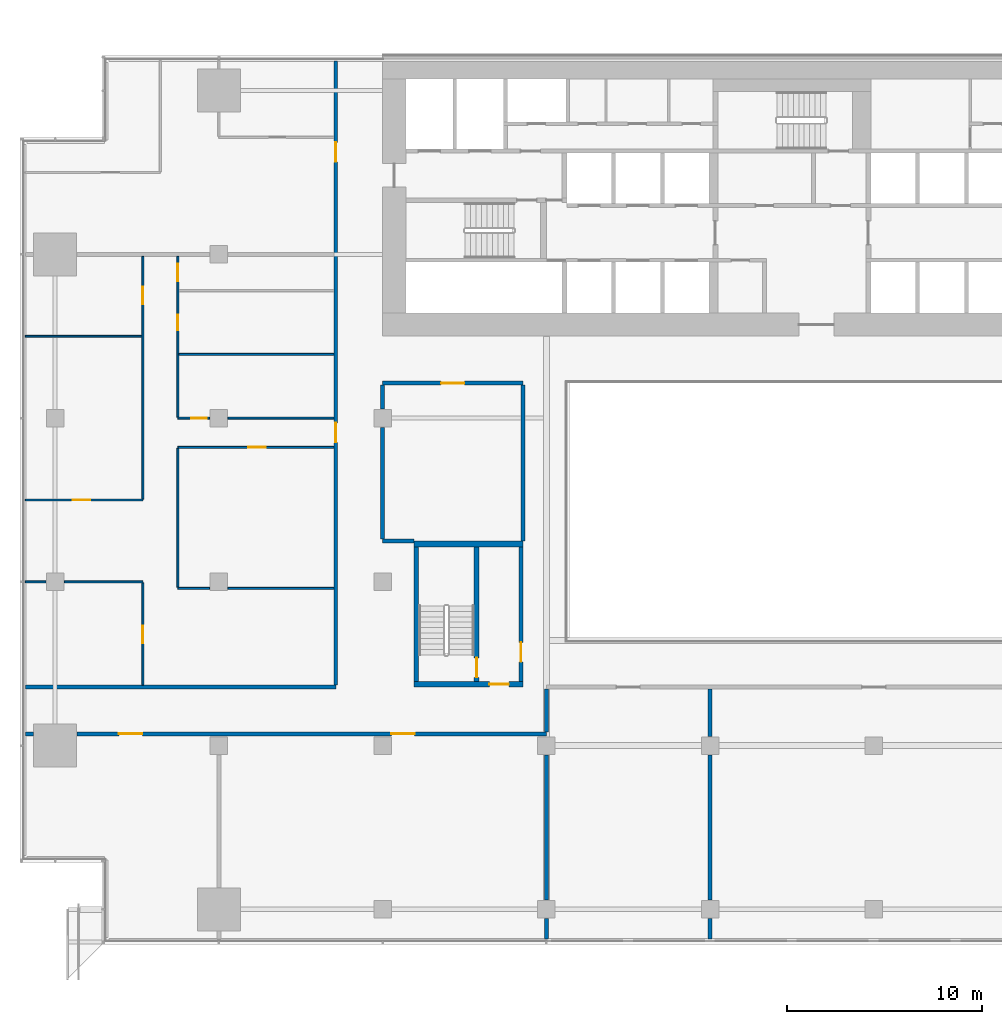
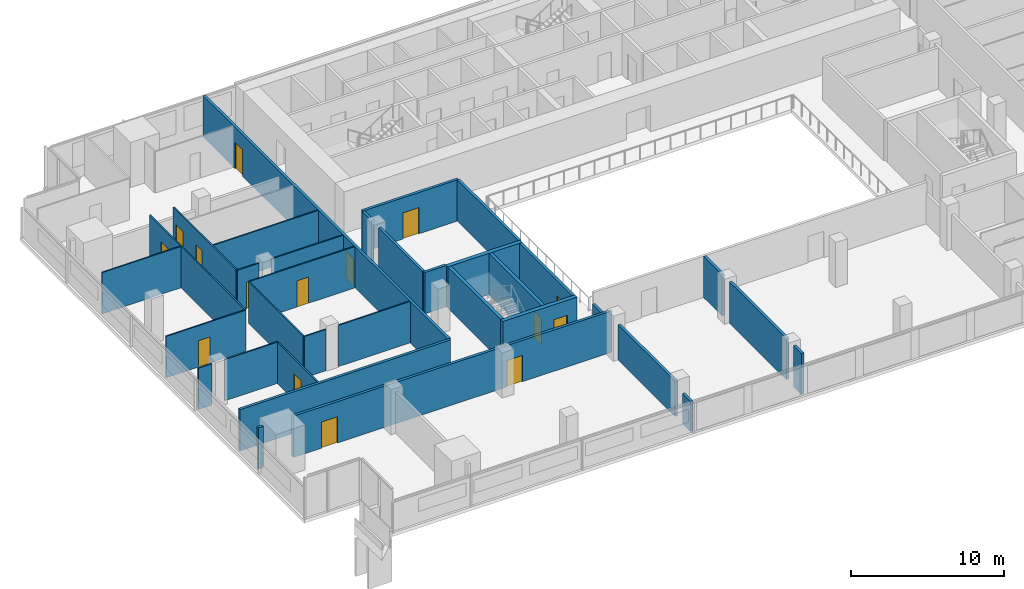
# One storey, part 17 of 25: 34 walls, 15 doors, 15 openings.
"""IFC4 building model written with IfcOpenShell, lengths in metres."""

from ifc_helpers import new_model, si_unit, direction, frame, frame_2d, origin, place, context, subcontext, project, spatial, rectangle, extrude, material, layer, layer_set, type_object, element, fill, save


model = new_model("IFC4")

# Units and contexts
model_context = context("Model", 3, precision=1e-05, world=origin(), true_north=direction((0.0, 1.0)))
body_context = subcontext(model_context, "Body", "Model", "MODEL_VIEW")
ifc_project = project(units=[si_unit("LENGTHUNIT", "METRE"), si_unit("AREAUNIT", "SQUARE_METRE"), si_unit("VOLUMEUNIT", "CUBIC_METRE"), si_unit("PLANEANGLEUNIT", "RADIAN"), si_unit("MASSUNIT", "GRAM", prefix="KILO")], contexts=[model_context])

# Site, building, storey
site_placement = place(None, origin())
site = spatial("IfcSite", under=ifc_project, at=site_placement, CompositionType="ELEMENT")
building_placement = place(site_placement, origin())
building = spatial("IfcBuilding", under=site, at=building_placement, Name="Saffron Gate Tower", CompositionType="ELEMENT")
storey_placement = place(building_placement, frame((0.0, 0.0, 80.39990234375)))
storey = spatial("IfcBuildingStorey", under=building, at=storey_placement, Name="L19", CompositionType="ELEMENT", Elevation=80.39990234375)

# Wall, opening, door
ifc_material_1 = material(Name="Gypsum board partition on steel studs", Category="steel")
ifc_layer_1 = layer(ifc_material_1, 0.199951171875)
ifc_layer_set_1 = layer_set([ifc_layer_1], Name="CW10 Core partition 200")
wall_type_1 = type_object("IfcWallType", Name="CW10 Core partition 200", PredefinedType="PARTITIONING", material=ifc_layer_set_1)
wall_1_placement = place(storey_placement, frame((73.699951171875, 43.5, 0.0), z_axis=(0.0, 0.0, 1.0), x_axis=(0.0, 1.0, 0.0)))
wall_1 = element("IfcWall", 1, at=wall_1_placement, inside=storey, type_object=wall_type_1, Name="Wall CW10-L19-D-4", PredefinedType="PARTITIONING", context=body_context, shape_type="SweptSolid", body=[
    extrude(rectangle(XDim=6.89990234375, YDim=0.199951171875, at=frame_2d((3.449951171875, 0.0))), origin(), (0.0, 0.0, 1.0), 3.300048828125),
])
opening_1_placement = place(wall_1_placement, frame((1.0, 0.0, 0.0)))
opening_1 = element("IfcOpeningElement", 2, at=opening_1_placement, cuts=wall_1, Name="Opening CR-19", PredefinedType="OPENING", context=body_context, shape_type="SweptSolid", body=[
    extrude(rectangle(XDim=1.0, YDim=2.10009765625, at=frame_2d((0.5, 1.050048828125))), frame((0.0, 0.10986328125, 0.0), z_axis=(0.0, -1.0, 0.0), x_axis=(1.0, 0.0, 0.0)), (0.0, 0.0, 1.0), 0.219970703125),
])
ifc_material_2 = material(Name="Steel fire door set", Category="steel")
door_type_1 = type_object("IfcDoorType", Name="CD4 Lobby door 1000x2100 EI 120", OperationType="NOTDEFINED", PredefinedType="DOOR", material=ifc_material_2)
door_1_placement = place(opening_1_placement, origin())
door_1 = element("IfcDoor", 3, at=door_1_placement, inside=storey, type_object=door_type_1, Name="DOOR CR-19", OperationType="SINGLE_SWING_RIGHT", OverallHeight=2.10009765625, OverallWidth=1.0, PredefinedType="DOOR", context=body_context, shape_type="SweptSolid", body=[
    extrude(rectangle(XDim=1.0, YDim=2.10009765625, at=frame_2d((0.5, 1.050048828125))), frame((0.0, 0.02490234375, 0.0), z_axis=(0.0, -1.0, 0.0), x_axis=(1.0, 0.0, 0.0)), (0.0, 0.0, 1.0), 0.050048828125),
])
fill(opening_1, door_1)

# Wall
ifc_material_3 = material(Name="Concrete C70", Category="concrete")
ifc_layer_2 = layer(ifc_material_3, 0.25)
ifc_layer_set_2 = layer_set([ifc_layer_2], Name="CW2 RC core wall 250 C70")
wall_type_2 = type_object("IfcWallType", Name="CW2 RC core wall 250 C70", PredefinedType="SOLIDWALL", material=ifc_layer_set_2)
wall_2_placement = place(storey_placement, frame((68.324951171875, 43.5, 0.0), z_axis=(0.0, 0.0, 1.0), x_axis=(0.0, 1.0, 0.0)))
element("IfcWall", 4, at=wall_2_placement, inside=storey, type_object=wall_type_2, Name="Wall CW2-L19-D-2", PredefinedType="SOLIDWALL", context=body_context, shape_type="SweptSolid", body=[
    extrude(rectangle(XDim=6.89990234375, YDim=0.25, at=frame_2d((3.449951171875, 0.0))), origin(), (0.0, 0.0, 1.0), 3.300048828125),
])

# Wall, opening, door
wall_3_placement = place(storey_placement, frame((71.425048828125, 43.5, 0.0), z_axis=(0.0, 0.0, 1.0), x_axis=(0.0, 1.0, 0.0)))
wall_3 = element("IfcWall", 5, at=wall_3_placement, inside=storey, type_object=wall_type_2, Name="Wall CW2-L19-D-3", PredefinedType="SOLIDWALL", context=body_context, shape_type="SweptSolid", body=[
    extrude(rectangle(XDim=6.89990234375, YDim=0.25, at=frame_2d((3.449951171875, 0.0))), origin(), (0.0, 0.0, 1.0), 3.300048828125),
])
opening_2_placement = place(wall_3_placement, frame((0.199951171875, 0.0, 0.0)))
opening_2 = element("IfcOpeningElement", 6, at=opening_2_placement, cuts=wall_3, Name="Opening CR-20", PredefinedType="OPENING", context=body_context, shape_type="SweptSolid", body=[
    extrude(rectangle(XDim=1.0, YDim=2.10009765625, at=frame_2d((0.5, 1.050048828125))), frame((0.0, 0.135009765625, 0.0), z_axis=(0.0, -1.0, 0.0), x_axis=(1.0, 0.0, 0.0)), (0.0, 0.0, 1.0), 0.27001953125),
])
door_type_2 = type_object("IfcDoorType", Name="CD5 Stair door 1000x2100 EI 120", OperationType="NOTDEFINED", PredefinedType="DOOR", material=ifc_material_2)
door_2_placement = place(opening_2_placement, origin())
door_2 = element("IfcDoor", 7, at=door_2_placement, inside=storey, type_object=door_type_2, Name="DOOR CR-20", OperationType="SINGLE_SWING_LEFT", OverallHeight=2.10009765625, OverallWidth=1.0, PredefinedType="DOOR", context=body_context, shape_type="SweptSolid", body=[
    extrude(rectangle(XDim=1.0, YDim=2.10009765625, at=frame_2d((0.5, 1.050048828125))), frame((0.0, 0.02490234375, 0.0), z_axis=(0.0, -1.0, 0.0), x_axis=(1.0, 0.0, 0.0)), (0.0, 0.0, 1.0), 0.050048828125),
])
fill(opening_2, door_2)

ifc_layer_3 = layer(ifc_material_3, 0.300048828125)
ifc_layer_set_3 = layer_set([ifc_layer_3], Name="CW5 RC core wall 300 C70")
wall_type_3 = type_object("IfcWallType", Name="CW5 RC core wall 300 C70", PredefinedType="SOLIDWALL", material=ifc_layer_set_3)
wall_4_placement = place(storey_placement, frame((68.199951171875, 43.35009765625, 0.0), z_axis=(0.0, 0.0, 1.0), x_axis=(1.0, 0.0, 0.0)))
wall_4 = element("IfcWall", 8, at=wall_4_placement, inside=storey, type_object=wall_type_3, Name="Wall CW5-L19-D-1", PredefinedType="SOLIDWALL", context=body_context, shape_type="SweptSolid", body=[
    extrude(rectangle(XDim=5.60009765625, YDim=0.300048828125, at=frame_2d((2.800048828125, 0.0))), origin(), (0.0, 0.0, 1.0), 3.300048828125),
])
opening_3_placement = place(wall_4_placement, frame((3.875, 0.0, 0.0)))
opening_3 = element("IfcOpeningElement", 9, at=opening_3_placement, cuts=wall_4, Name="Opening CR-18", PredefinedType="OPENING", context=body_context, shape_type="SweptSolid", body=[
    extrude(rectangle(XDim=1.0, YDim=2.10009765625, at=frame_2d((0.5, 1.050048828125))), frame((0.0, 0.16015625, 0.0), z_axis=(0.0, -1.0, 0.0), x_axis=(1.0, 0.0, 0.0)), (0.0, 0.0, 1.0), 0.320068359375),
])
door_3_placement = place(opening_3_placement, origin())
door_3 = element("IfcDoor", 10, at=door_3_placement, inside=storey, type_object=door_type_1, Name="DOOR CR-18", OperationType="SINGLE_SWING_RIGHT", OverallHeight=2.10009765625, OverallWidth=1.0, PredefinedType="DOOR", context=body_context, shape_type="SweptSolid", body=[
    extrude(rectangle(XDim=1.0, YDim=2.10009765625, at=frame_2d((0.5, 1.050048828125))), frame((0.0, 0.02490234375, 0.0), z_axis=(0.0, -1.0, 0.0), x_axis=(1.0, 0.0, 0.0)), (0.0, 0.0, 1.0), 0.050048828125),
])
fill(opening_3, door_3)

# Walls
wall_5_placement = place(storey_placement, frame((68.199951171875, 50.550048828125, 0.0), z_axis=(0.0, 0.0, 1.0), x_axis=(1.0, 0.0, 0.0)))
element("IfcWall", 11, at=wall_5_placement, inside=storey, type_object=wall_type_3, Name="Wall CW5-L19-D-5", PredefinedType="SOLIDWALL", context=body_context, shape_type="SweptSolid", body=[
    extrude(rectangle(XDim=5.60009765625, YDim=0.300048828125, at=frame_2d((2.800048828125, 0.0))), origin(), (0.0, 0.0, 1.0), 3.300048828125),
])
ifc_material_4 = material(Name="Plasterboard on steel studs", Category="steel")
ifc_layer_4 = layer(ifc_material_4, 0.10009765625)
ifc_layer_set_4 = layer_set([ifc_layer_4], Name="PW1 Partition 100")
wall_type_4 = type_object("IfcWallType", Name="PW1 Partition 100", PredefinedType="PARTITIONING", material=ifc_layer_set_4)
wall_6_placement = place(storey_placement, frame((56.10009765625, 48.26171875, 0.0), z_axis=(0.0, 0.0, 1.0), x_axis=(1.0, 0.0, 0.0)))
element("IfcWall", 12, at=wall_6_placement, inside=storey, type_object=wall_type_4, Name="Partition A5-13", PredefinedType="PARTITIONING", context=body_context, shape_type="SweptSolid", body=[
    extrude(rectangle(XDim=1.6298828125, YDim=0.10009765625, at=frame_2d((0.81494140625, 0.0))), origin(), (0.0, 0.0, 1.0), 3.300048828125),
])
wall_7_placement = place(storey_placement, frame((58.669921875, 48.26171875, 0.0), z_axis=(0.0, 0.0, 1.0), x_axis=(1.0, 0.0, 0.0)))
element("IfcWall", 13, at=wall_7_placement, inside=storey, type_object=wall_type_4, Name="Partition A5-14", PredefinedType="PARTITIONING", context=body_context, shape_type="SweptSolid", body=[
    extrude(rectangle(XDim=5.43017578125, YDim=0.10009765625, at=frame_2d((2.715087890625, 0.0))), origin(), (0.0, 0.0, 1.0), 3.300048828125),
])
wall_8_placement = place(storey_placement, frame((48.280029296875, 48.60009765625, 0.0), z_axis=(0.0, 0.0, 1.0), x_axis=(1.0, 0.0, 0.0)))
element("IfcWall", 14, at=wall_8_placement, inside=storey, type_object=wall_type_4, Name="Partition A5-15", PredefinedType="PARTITIONING", context=body_context, shape_type="SweptSolid", body=[
    extrude(rectangle(XDim=1.050048828125, YDim=0.10009765625, at=frame_2d((0.52490234375, 0.0))), origin(), (0.0, 0.0, 1.0), 3.300048828125),
])
wall_9_placement = place(storey_placement, frame((50.27001953125, 48.60009765625, 0.0), z_axis=(0.0, 0.0, 1.0), x_axis=(1.0, 0.0, 0.0)))
element("IfcWall", 15, at=wall_9_placement, inside=storey, type_object=wall_type_4, Name="Partition A5-16", PredefinedType="PARTITIONING", context=body_context, shape_type="SweptSolid", body=[
    extrude(rectangle(XDim=4.030029296875, YDim=0.10009765625, at=frame_2d((2.01513671875, 0.0))), origin(), (0.0, 0.0, 1.0), 3.300048828125),
])

# Wall, opening, door
wall_10_placement = place(storey_placement, frame((48.280029296875, 52.800048828125, 0.0), z_axis=(0.0, 0.0, 1.0), x_axis=(1.0, 0.0, 0.0)))
wall_10 = element("IfcWall", 16, at=wall_10_placement, inside=storey, type_object=wall_type_4, Name="Partition A5-23", PredefinedType="PARTITIONING", context=body_context, shape_type="SweptSolid", body=[
    extrude(rectangle(XDim=6.02001953125, YDim=0.10009765625, at=frame_2d((3.010009765625, 0.0))), origin(), (0.0, 0.0, 1.0), 3.300048828125),
])
opening_4_placement = place(wall_10_placement, frame((2.419921875, 0.0, 0.0)))
opening_4 = element("IfcOpeningElement", 17, at=opening_4_placement, cuts=wall_10, Name="Opening A5-13", PredefinedType="OPENING", context=body_context, shape_type="SweptSolid", body=[
    extrude(rectangle(XDim=0.89990234375, YDim=2.10009765625, at=frame_2d((0.449951171875, 1.050048828125))), frame((0.0, 0.06005859375, 0.0), z_axis=(0.0, -1.0, 0.0), x_axis=(1.0, 0.0, 0.0)), (0.0, 0.0, 1.0), 0.1201171875),
])
ifc_material_5 = material(Name="Timber door set", Category="wood")
door_type_3 = type_object("IfcDoorType", Name="RD1 Room door 900x2100", OperationType="NOTDEFINED", PredefinedType="DOOR", material=ifc_material_5)
door_4_placement = place(opening_4_placement, origin())
door_4 = element("IfcDoor", 18, at=door_4_placement, inside=storey, type_object=door_type_3, Name="Door A5-13", OperationType="SINGLE_SWING_LEFT", OverallHeight=2.10009765625, OverallWidth=0.89990234375, PredefinedType="DOOR", context=body_context, shape_type="SweptSolid", body=[
    extrude(rectangle(XDim=0.89990234375, YDim=2.10009765625, at=frame_2d((0.449951171875, 1.050048828125))), frame((0.0, 0.02490234375, 0.0), z_axis=(0.0, -1.0, 0.0), x_axis=(1.0, 0.0, 0.0)), (0.0, 0.0, 1.0), 0.050048828125),
])
fill(opening_4, door_4)

wall_11_placement = place(storey_placement, frame((64.10009765625, 55.5, 0.0), z_axis=(0.0, 0.0, 1.0), x_axis=(-1.0, 0.0, 0.0)))
wall_11 = element("IfcWall", 19, at=wall_11_placement, inside=storey, type_object=wall_type_4, Name="Partition A5-25", PredefinedType="PARTITIONING", context=body_context, shape_type="SweptSolid", body=[
    extrude(rectangle(XDim=8.0, YDim=0.10009765625, at=frame_2d((4.0, 0.0))), origin(), (0.0, 0.0, 1.0), 3.300048828125),
])
opening_5_placement = place(wall_11_placement, frame((3.5, 0.0, 0.0)))
opening_5 = element("IfcOpeningElement", 20, at=opening_5_placement, cuts=wall_11, Name="Opening A5-15", PredefinedType="OPENING", context=body_context, shape_type="SweptSolid", body=[
    extrude(rectangle(XDim=0.89990234375, YDim=2.10009765625, at=frame_2d((0.449951171875, 1.050048828125))), frame((0.0, 0.06005859375, 0.0), z_axis=(0.0, -1.0, 0.0), x_axis=(1.0, 0.0, 0.0)), (0.0, 0.0, 1.0), 0.1201171875),
])
door_5_placement = place(opening_5_placement, origin())
door_5 = element("IfcDoor", 21, at=door_5_placement, inside=storey, type_object=door_type_3, Name="Door A5-15", OperationType="SINGLE_SWING_LEFT", OverallHeight=2.10009765625, OverallWidth=0.89990234375, PredefinedType="DOOR", context=body_context, shape_type="SweptSolid", body=[
    extrude(rectangle(XDim=0.89990234375, YDim=2.10009765625, at=frame_2d((0.449951171875, 1.050048828125))), frame((0.0, 0.02490234375, 0.0), z_axis=(0.0, -1.0, 0.0), x_axis=(1.0, 0.0, 0.0)), (0.0, 0.0, 1.0), 0.050048828125),
])
fill(opening_5, door_5)

wall_12_placement = place(storey_placement, frame((56.10009765625, 57.0, 0.0), z_axis=(0.0, 0.0, 1.0), x_axis=(1.0, 0.0, 0.0)))
wall_12 = element("IfcWall", 22, at=wall_12_placement, inside=storey, type_object=wall_type_4, Name="Partition A5-30", PredefinedType="PARTITIONING", context=body_context, shape_type="SweptSolid", body=[
    extrude(rectangle(XDim=1.6298828125, YDim=0.10009765625, at=frame_2d((0.81494140625, 0.0))), origin(), (0.0, 0.0, 1.0), 3.300048828125),
])
opening_6_placement = place(wall_12_placement, frame((0.679931640625, 0.0, 0.0)))
opening_6 = element("IfcOpeningElement", 23, at=opening_6_placement, cuts=wall_12, Name="Opening A5-28", PredefinedType="OPENING", context=body_context, shape_type="SweptSolid", body=[
    extrude(rectangle(XDim=0.800048828125, YDim=2.10009765625, at=frame_2d((0.39990234375, 1.050048828125))), frame((0.0, 0.06005859375, 0.0), z_axis=(0.0, -1.0, 0.0), x_axis=(1.0, 0.0, 0.0)), (0.0, 0.0, 1.0), 0.1201171875),
])
door_type_4 = type_object("IfcDoorType", Name="RD2 Bathroom door 800x2100", OperationType="NOTDEFINED", PredefinedType="DOOR", material=ifc_material_5)
door_6_placement = place(opening_6_placement, origin())
door_6 = element("IfcDoor", 24, at=door_6_placement, inside=storey, type_object=door_type_4, Name="Door A5-28", OperationType="SINGLE_SWING_RIGHT", OverallHeight=2.10009765625, OverallWidth=0.800048828125, PredefinedType="DOOR", context=body_context, shape_type="SweptSolid", body=[
    extrude(rectangle(XDim=0.800048828125, YDim=2.10009765625, at=frame_2d((0.39990234375, 1.050048828125))), frame((0.0, 0.02490234375, 0.0), z_axis=(0.0, -1.0, 0.0), x_axis=(1.0, 0.0, 0.0)), (0.0, 0.0, 1.0), 0.050048828125),
])
fill(opening_6, door_6)

# Walls
wall_13_placement = place(storey_placement, frame((58.669921875, 57.0, 0.0), z_axis=(0.0, 0.0, 1.0), x_axis=(1.0, 0.0, 0.0)))
element("IfcWall", 25, at=wall_13_placement, inside=storey, type_object=wall_type_4, Name="Partition A5-31", PredefinedType="PARTITIONING", context=body_context, shape_type="SweptSolid", body=[
    extrude(rectangle(XDim=5.43017578125, YDim=0.10009765625, at=frame_2d((2.715087890625, 0.0))), origin(), (0.0, 0.0, 1.0), 3.300048828125),
])
wall_14_placement = place(storey_placement, frame((56.14990234375, 60.271484375, 0.0), z_axis=(0.0, 0.0, 1.0), x_axis=(1.0, 0.0, 0.0)))
element("IfcWall", 26, at=wall_14_placement, inside=storey, type_object=wall_type_4, Name="Partition A5-35", PredefinedType="PARTITIONING", context=body_context, shape_type="SweptSolid", body=[
    extrude(rectangle(XDim=7.9501953125, YDim=0.10009765625, at=frame_2d((3.97509765625, 0.0))), origin(), (0.0, 0.0, 1.0), 3.300048828125),
])
wall_15_placement = place(storey_placement, frame((48.280029296875, 61.199951171875, 0.0), z_axis=(0.0, 0.0, 1.0), x_axis=(1.0, 0.0, 0.0)))
element("IfcWall", 27, at=wall_15_placement, inside=storey, type_object=wall_type_4, Name="Partition A5-36", PredefinedType="PARTITIONING", context=body_context, shape_type="SweptSolid", body=[
    extrude(rectangle(XDim=5.969970703125, YDim=0.10009765625, at=frame_2d((2.98486328125, 0.0))), origin(), (0.0, 0.0, 1.0), 3.300048828125),
])

# Wall, opening, door
wall_16_placement = place(storey_placement, frame((54.300048828125, 43.300048828125, 0.0), z_axis=(0.0, 0.0, 1.0), x_axis=(0.0, 1.0, 0.0)))
wall_16 = element("IfcWall", 28, at=wall_16_placement, inside=storey, type_object=wall_type_4, Name="Partition A5-49", PredefinedType="PARTITIONING", context=body_context, shape_type="SweptSolid", body=[
    extrude(rectangle(XDim=5.25, YDim=0.10009765625, at=frame_2d((2.625, 0.0))), origin(), (0.0, 0.0, 1.0), 3.300048828125),
])
opening_7_placement = place(wall_16_placement, frame((2.14990234375, 0.0, 0.0)))
opening_7 = element("IfcOpeningElement", 29, at=opening_7_placement, cuts=wall_16, Name="Opening A5-12", PredefinedType="OPENING", context=body_context, shape_type="SweptSolid", body=[
    extrude(rectangle(XDim=0.89990234375, YDim=2.10009765625, at=frame_2d((0.449951171875, 1.050048828125))), frame((0.0, 0.06005859375, 0.0), z_axis=(0.0, -1.0, 0.0), x_axis=(1.0, 0.0, 0.0)), (0.0, 0.0, 1.0), 0.1201171875),
])
door_7_placement = place(opening_7_placement, origin())
door_7 = element("IfcDoor", 30, at=door_7_placement, inside=storey, type_object=door_type_3, Name="Door A5-12", OperationType="SINGLE_SWING_LEFT", OverallHeight=2.10009765625, OverallWidth=0.89990234375, PredefinedType="DOOR", context=body_context, shape_type="SweptSolid", body=[
    extrude(rectangle(XDim=0.89990234375, YDim=2.10009765625, at=frame_2d((0.449951171875, 1.050048828125))), frame((0.0, 0.02490234375, 0.0), z_axis=(0.0, -1.0, 0.0), x_axis=(1.0, 0.0, 0.0)), (0.0, 0.0, 1.0), 0.050048828125),
])
fill(opening_7, door_7)

wall_17_placement = place(storey_placement, frame((54.300048828125, 52.85009765625, 0.0), z_axis=(0.0, 0.0, 1.0), x_axis=(0.0, 1.0, 0.0)))
wall_17 = element("IfcWall", 31, at=wall_17_placement, inside=storey, type_object=wall_type_4, Name="Partition A5-50", PredefinedType="PARTITIONING", context=body_context, shape_type="SweptSolid", body=[
    extrude(rectangle(XDim=12.449951171875, YDim=0.10009765625, at=frame_2d((6.22509765625, 0.0))), origin(), (0.0, 0.0, 1.0), 3.300048828125),
])
opening_8_placement = place(wall_17_placement, frame((10.0, 0.0, 0.0)))
opening_8 = element("IfcOpeningElement", 32, at=opening_8_placement, cuts=wall_17, Name="Opening A5-14", PredefinedType="OPENING", context=body_context, shape_type="SweptSolid", body=[
    extrude(rectangle(XDim=0.89990234375, YDim=2.10009765625, at=frame_2d((0.449951171875, 1.050048828125))), frame((0.0, 0.06005859375, 0.0), z_axis=(0.0, -1.0, 0.0), x_axis=(1.0, 0.0, 0.0)), (0.0, 0.0, 1.0), 0.1201171875),
])
door_8_placement = place(opening_8_placement, origin())
door_8 = element("IfcDoor", 33, at=door_8_placement, inside=storey, type_object=door_type_3, Name="Door A5-14", OperationType="SINGLE_SWING_RIGHT", OverallHeight=2.10009765625, OverallWidth=0.89990234375, PredefinedType="DOOR", context=body_context, shape_type="SweptSolid", body=[
    extrude(rectangle(XDim=0.89990234375, YDim=2.10009765625, at=frame_2d((0.449951171875, 1.050048828125))), frame((0.0, 0.02490234375, 0.0), z_axis=(0.0, -1.0, 0.0), x_axis=(1.0, 0.0, 0.0)), (0.0, 0.0, 1.0), 0.050048828125),
])
fill(opening_8, door_8)

# Wall
wall_18_placement = place(storey_placement, frame((56.10009765625, 55.449951171875, 0.0), z_axis=(0.0, 0.0, 1.0), x_axis=(0.0, -1.0, 0.0)))
element("IfcWall", 34, at=wall_18_placement, inside=storey, type_object=wall_type_4, Name="Partition A5-52", PredefinedType="PARTITIONING", context=body_context, shape_type="SweptSolid", body=[
    extrude(rectangle(XDim=7.13818359375, YDim=0.10009765625, at=frame_2d((3.569091796875, 0.0))), origin(), (0.0, 0.0, 1.0), 3.300048828125),
])

# Wall, openings, doors
wall_19_placement = place(storey_placement, frame((56.10009765625, 65.300048828125, 0.0), z_axis=(0.0, 0.0, 1.0), x_axis=(0.0, -1.0, 0.0)))
wall_19 = element("IfcWall", 35, at=wall_19_placement, inside=storey, type_object=wall_type_4, Name="Partition A5-53", PredefinedType="PARTITIONING", context=body_context, shape_type="SweptSolid", body=[
    extrude(rectangle(XDim=8.25, YDim=0.10009765625, at=frame_2d((4.125, 0.0))), origin(), (0.0, 0.0, 1.0), 3.300048828125),
])
opening_9_placement = place(wall_19_placement, frame((0.37841796875, 0.0, 0.0)))
opening_9 = element("IfcOpeningElement", 36, at=opening_9_placement, cuts=wall_19, Name="Opening A5-16", PredefinedType="OPENING", context=body_context, shape_type="SweptSolid", body=[
    extrude(rectangle(XDim=0.89990234375, YDim=2.10009765625, at=frame_2d((0.449951171875, 1.050048828125))), frame((0.0, 0.06005859375, 0.0), z_axis=(0.0, -1.0, 0.0), x_axis=(1.0, 0.0, 0.0)), (0.0, 0.0, 1.0), 0.1201171875),
])
opening_10_placement = place(wall_19_placement, frame((2.99267578125, 0.0, 0.0)))
opening_10 = element("IfcOpeningElement", 37, at=opening_10_placement, cuts=wall_19, Name="Opening A5-29", PredefinedType="OPENING", context=body_context, shape_type="SweptSolid", body=[
    extrude(rectangle(XDim=0.800048828125, YDim=2.10009765625, at=frame_2d((0.39990234375, 1.050048828125))), frame((0.0, 0.06005859375, 0.0), z_axis=(0.0, -1.0, 0.0), x_axis=(1.0, 0.0, 0.0)), (0.0, 0.0, 1.0), 0.1201171875),
])
door_9_placement = place(opening_9_placement, origin())
door_9 = element("IfcDoor", 38, at=door_9_placement, inside=storey, type_object=door_type_3, Name="Door A5-16", OperationType="SINGLE_SWING_LEFT", OverallHeight=2.10009765625, OverallWidth=0.89990234375, PredefinedType="DOOR", context=body_context, shape_type="SweptSolid", body=[
    extrude(rectangle(XDim=0.89990234375, YDim=2.10009765625, at=frame_2d((0.449951171875, 1.050048828125))), frame((0.0, 0.02490234375, 0.0), z_axis=(0.0, -1.0, 0.0), x_axis=(1.0, 0.0, 0.0)), (0.0, 0.0, 1.0), 0.050048828125),
])
fill(opening_9, door_9)
door_10_placement = place(opening_10_placement, origin())
door_10 = element("IfcDoor", 39, at=door_10_placement, inside=storey, type_object=door_type_4, Name="Door A5-29", OperationType="SINGLE_SWING_RIGHT", OverallHeight=2.10009765625, OverallWidth=0.800048828125, PredefinedType="DOOR", context=body_context, shape_type="SweptSolid", body=[
    extrude(rectangle(XDim=0.800048828125, YDim=2.10009765625, at=frame_2d((0.39990234375, 1.050048828125))), frame((0.0, 0.02490234375, 0.0), z_axis=(0.0, -1.0, 0.0), x_axis=(1.0, 0.0, 0.0)), (0.0, 0.0, 1.0), 0.050048828125),
])
fill(opening_10, door_10)

# Wall
ifc_material_6 = material(Name="Clay brick masonry, rendered", Category="masonry")
ifc_layer_5 = layer(ifc_material_6, 0.199951171875)
ifc_layer_set_5 = layer_set([ifc_layer_5], Name="PW3 Corridor wall 200")
wall_type_5 = type_object("IfcWallType", Name="PW3 Corridor wall 200", PredefinedType="PARTITIONING", material=ifc_layer_set_5)
wall_20_placement = place(storey_placement, frame((48.280029296875, 40.800048828125, 0.0), z_axis=(0.0, 0.0, 1.0), x_axis=(1.0, 0.0, 0.0)))
element("IfcWall", 40, at=wall_20_placement, inside=storey, type_object=wall_type_5, Name="Wall A5-5", PredefinedType="PARTITIONING", context=body_context, shape_type="SweptSolid", body=[
    extrude(rectangle(XDim=0.39990234375, YDim=0.199951171875, at=frame_2d((0.199951171875, 0.0))), origin(), (0.0, 0.0, 1.0), 3.300048828125),
])

# Wall, openings, doors
wall_21_placement = place(storey_placement, frame((75.0, 40.800048828125, 0.0), z_axis=(0.0, 0.0, 1.0), x_axis=(-1.0, 0.0, 0.0)))
wall_21 = element("IfcWall", 41, at=wall_21_placement, inside=storey, type_object=wall_type_5, Name="Wall A5-6", PredefinedType="PARTITIONING", context=body_context, shape_type="SweptSolid", body=[
    extrude(rectangle(XDim=24.080078125, YDim=0.199951171875, at=frame_2d((12.0400390625, 0.0))), origin(), (0.0, 0.0, 1.0), 3.300048828125),
])
opening_11_placement = place(wall_21_placement, frame((6.75, 0.0, 0.0)))
opening_11 = element("IfcOpeningElement", 42, at=opening_11_placement, cuts=wall_21, Name="Opening A5-38", PredefinedType="OPENING", context=body_context, shape_type="SweptSolid", body=[
    extrude(rectangle(XDim=1.199951171875, YDim=2.10009765625, at=frame_2d((0.60009765625, 1.050048828125))), frame((0.0, 0.10986328125, 0.0), z_axis=(0.0, -1.0, 0.0), x_axis=(1.0, 0.0, 0.0)), (0.0, 0.0, 1.0), 0.219970703125),
])
opening_12_placement = place(wall_21_placement, frame((20.72802734375, 0.0, 0.0)))
opening_12 = element("IfcOpeningElement", 43, at=opening_12_placement, cuts=wall_21, Name="Opening A5-37", PredefinedType="OPENING", context=body_context, shape_type="SweptSolid", body=[
    extrude(rectangle(XDim=1.199951171875, YDim=2.10009765625, at=frame_2d((0.60009765625, 1.050048828125))), frame((0.0, 0.10986328125, 0.0), z_axis=(0.0, -1.0, 0.0), x_axis=(1.0, 0.0, 0.0)), (0.0, 0.0, 1.0), 0.219970703125),
])
door_type_5 = type_object("IfcDoorType", Name="HD1 Hall door 1200x2100", OperationType="NOTDEFINED", PredefinedType="DOOR", material=ifc_material_5)
door_11_placement = place(opening_11_placement, origin())
door_11 = element("IfcDoor", 44, at=door_11_placement, inside=storey, type_object=door_type_5, Name="Door A5-38", OperationType="SINGLE_SWING_LEFT", OverallHeight=2.10009765625, OverallWidth=1.199951171875, PredefinedType="DOOR", context=body_context, shape_type="SweptSolid", body=[
    extrude(rectangle(XDim=1.199951171875, YDim=2.10009765625, at=frame_2d((0.60009765625, 1.050048828125))), frame((0.0, 0.02490234375, 0.0), z_axis=(0.0, -1.0, 0.0), x_axis=(1.0, 0.0, 0.0)), (0.0, 0.0, 1.0), 0.050048828125),
])
fill(opening_11, door_11)
door_12_placement = place(opening_12_placement, origin())
door_12 = element("IfcDoor", 45, at=door_12_placement, inside=storey, type_object=door_type_5, Name="Door A5-37", OperationType="SINGLE_SWING_RIGHT", OverallHeight=2.10009765625, OverallWidth=1.199951171875, PredefinedType="DOOR", context=body_context, shape_type="SweptSolid", body=[
    extrude(rectangle(XDim=1.199951171875, YDim=2.10009765625, at=frame_2d((0.60009765625, 1.050048828125))), frame((0.0, 0.02490234375, 0.0), z_axis=(0.0, -1.0, 0.0), x_axis=(1.0, 0.0, 0.0)), (0.0, 0.0, 1.0), 0.050048828125),
])
fill(opening_12, door_12)

# Walls
wall_22_placement = place(storey_placement, frame((48.280029296875, 43.199951171875, 0.0), z_axis=(0.0, 0.0, 1.0), x_axis=(1.0, 0.0, 0.0)))
element("IfcWall", 46, at=wall_22_placement, inside=storey, type_object=wall_type_5, Name="Wall A5-9", PredefinedType="PARTITIONING", context=body_context, shape_type="SweptSolid", body=[
    extrude(rectangle(XDim=15.919921875, YDim=0.199951171875, at=frame_2d((7.9599609375, 0.0))), origin(), (0.0, 0.0, 1.0), 3.300048828125),
])
wall_23_placement = place(storey_placement, frame((66.60009765625, 50.699951171875, 0.0), z_axis=(0.0, 0.0, 1.0), x_axis=(1.0, 0.0, 0.0)))
element("IfcWall", 47, at=wall_23_placement, inside=storey, type_object=wall_type_5, Name="Wall A5-20", PredefinedType="PARTITIONING", context=body_context, shape_type="SweptSolid", body=[
    extrude(rectangle(XDim=1.599853515625, YDim=0.199951171875, at=frame_2d((0.7998046875, 0.0))), origin(), (0.0, 0.0, 1.0), 3.300048828125),
])

# Wall, opening, door
wall_24_placement = place(storey_placement, frame((73.800048828125, 58.800048828125, 0.0), z_axis=(0.0, 0.0, 1.0), x_axis=(-1.0, 0.0, 0.0)))
wall_24 = element("IfcWall", 48, at=wall_24_placement, inside=storey, type_object=wall_type_5, Name="Wall A5-32", PredefinedType="PARTITIONING", context=body_context, shape_type="SweptSolid", body=[
    extrude(rectangle(XDim=7.199951171875, YDim=0.199951171875, at=frame_2d((3.60009765625, 0.0))), origin(), (0.0, 0.0, 1.0), 3.300048828125),
])
opening_13_placement = place(wall_24_placement, frame((3.0, 0.0, 0.0)))
opening_13 = element("IfcOpeningElement", 49, at=opening_13_placement, cuts=wall_24, Name="Opening A5-39", PredefinedType="OPENING", context=body_context, shape_type="SweptSolid", body=[
    extrude(rectangle(XDim=1.199951171875, YDim=2.10009765625, at=frame_2d((0.60009765625, 1.050048828125))), frame((0.0, 0.10986328125, 0.0), z_axis=(0.0, -1.0, 0.0), x_axis=(1.0, 0.0, 0.0)), (0.0, 0.0, 1.0), 0.219970703125),
])
door_13_placement = place(opening_13_placement, origin())
door_13 = element("IfcDoor", 50, at=door_13_placement, inside=storey, type_object=door_type_5, Name="Door A5-39", OperationType="SINGLE_SWING_LEFT", OverallHeight=2.10009765625, OverallWidth=1.199951171875, PredefinedType="DOOR", context=body_context, shape_type="SweptSolid", body=[
    extrude(rectangle(XDim=1.199951171875, YDim=2.10009765625, at=frame_2d((0.60009765625, 1.050048828125))), frame((0.0, 0.02490234375, 0.0), z_axis=(0.0, -1.0, 0.0), x_axis=(1.0, 0.0, 0.0)), (0.0, 0.0, 1.0), 0.050048828125),
])
fill(opening_13, door_13)

# Wall, openings, doors
wall_25_placement = place(storey_placement, frame((64.199951171875, 43.300048828125, 0.0), z_axis=(0.0, 0.0, 1.0), x_axis=(0.0, 1.0, 0.0)))
wall_25 = element("IfcWall", 51, at=wall_25_placement, inside=storey, type_object=wall_type_5, Name="Wall A5-58", PredefinedType="PARTITIONING", context=body_context, shape_type="SweptSolid", body=[
    extrude(rectangle(XDim=32.02001953125, YDim=0.199951171875, at=frame_2d((16.010009765625, 0.0))), origin(), (0.0, 0.0, 1.0), 3.300048828125),
])
opening_14_placement = place(wall_25_placement, frame((12.449951171875, 0.0, 0.0)))
opening_14 = element("IfcOpeningElement", 52, at=opening_14_placement, cuts=wall_25, Name="Opening A5-2", PredefinedType="OPENING", context=body_context, shape_type="SweptSolid", body=[
    extrude(rectangle(XDim=1.0, YDim=2.10009765625, at=frame_2d((0.5, 1.050048828125))), frame((0.0, 0.10986328125, 0.0), z_axis=(0.0, -1.0, 0.0), x_axis=(1.0, 0.0, 0.0)), (0.0, 0.0, 1.0), 0.219970703125),
])
opening_15_placement = place(wall_25_placement, frame((26.85009765625, 0.0, 0.0)))
opening_15 = element("IfcOpeningElement", 53, at=opening_15_placement, cuts=wall_25, Name="Opening A5-3", PredefinedType="OPENING", context=body_context, shape_type="SweptSolid", body=[
    extrude(rectangle(XDim=1.0, YDim=2.10009765625, at=frame_2d((0.5, 1.050048828125))), frame((0.0, 0.10986328125, 0.0), z_axis=(0.0, -1.0, 0.0), x_axis=(1.0, 0.0, 0.0)), (0.0, 0.0, 1.0), 0.219970703125),
])
ifc_material_7 = material(Name="Timber fire door set", Category="wood")
door_type_6 = type_object("IfcDoorType", Name="FD1 Flat entry door 1000x2100", OperationType="NOTDEFINED", PredefinedType="DOOR", material=ifc_material_7)
door_14_placement = place(opening_14_placement, origin())
door_14 = element("IfcDoor", 54, at=door_14_placement, inside=storey, type_object=door_type_6, Name="Door A5-2", OperationType="SINGLE_SWING_RIGHT", OverallHeight=2.10009765625, OverallWidth=1.0, PredefinedType="DOOR", context=body_context, shape_type="SweptSolid", body=[
    extrude(rectangle(XDim=1.0, YDim=2.10009765625, at=frame_2d((0.5, 1.050048828125))), frame((0.0, 0.02490234375, 0.0), z_axis=(0.0, -1.0, 0.0), x_axis=(1.0, 0.0, 0.0)), (0.0, 0.0, 1.0), 0.050048828125),
])
fill(opening_14, door_14)
door_15_placement = place(opening_15_placement, origin())
door_15 = element("IfcDoor", 55, at=door_15_placement, inside=storey, type_object=door_type_6, Name="Door A5-3", OperationType="SINGLE_SWING_LEFT", OverallHeight=2.10009765625, OverallWidth=1.0, PredefinedType="DOOR", context=body_context, shape_type="SweptSolid", body=[
    extrude(rectangle(XDim=1.0, YDim=2.10009765625, at=frame_2d((0.5, 1.050048828125))), frame((0.0, 0.02490234375, 0.0), z_axis=(0.0, -1.0, 0.0), x_axis=(1.0, 0.0, 0.0)), (0.0, 0.0, 1.0), 0.050048828125),
])
fill(opening_15, door_15)

# Walls
wall_26_placement = place(storey_placement, frame((66.60009765625, 56.530029296875, 0.0), z_axis=(0.0, 0.0, 1.0), x_axis=(0.0, -1.0, 0.0)))
element("IfcWall", 56, at=wall_26_placement, inside=storey, type_object=wall_type_5, Name="Wall A5-59", PredefinedType="PARTITIONING", context=body_context, shape_type="SweptSolid", body=[
    extrude(rectangle(XDim=5.72998046875, YDim=0.199951171875, at=frame_2d((2.864990234375, 0.0))), origin(), (0.0, 0.0, 1.0), 3.300048828125),
])
wall_27_placement = place(storey_placement, frame((66.60009765625, 58.699951171875, 0.0), z_axis=(0.0, 0.0, 1.0), x_axis=(0.0, -1.0, 0.0)))
element("IfcWall", 57, at=wall_27_placement, inside=storey, type_object=wall_type_5, Name="Wall A5-60", PredefinedType="PARTITIONING", context=body_context, shape_type="SweptSolid", body=[
    extrude(rectangle(XDim=1.22998046875, YDim=0.199951171875, at=frame_2d((0.614990234375, 0.0))), origin(), (0.0, 0.0, 1.0), 3.300048828125),
])
wall_28_placement = place(storey_placement, frame((73.800048828125, 58.699951171875, 0.0), z_axis=(0.0, 0.0, 1.0), x_axis=(0.0, -1.0, 0.0)))
element("IfcWall", 58, at=wall_28_placement, inside=storey, type_object=wall_type_5, Name="Wall A5-61", PredefinedType="PARTITIONING", context=body_context, shape_type="SweptSolid", body=[
    extrude(rectangle(XDim=8.0, YDim=0.199951171875, at=frame_2d((4.0, 0.0))), origin(), (0.0, 0.0, 1.0), 3.300048828125),
])
wall_29_placement = place(storey_placement, frame((75.0, 43.10009765625, 0.0), z_axis=(0.0, 0.0, 1.0), x_axis=(0.0, -1.0, 0.0)))
element("IfcWall", 59, at=wall_29_placement, inside=storey, type_object=wall_type_5, Name="Wall A5-62", PredefinedType="PARTITIONING", context=body_context, shape_type="SweptSolid", body=[
    extrude(rectangle(XDim=2.2001953125, YDim=0.199951171875, at=frame_2d((1.10009765625, 0.0))), origin(), (0.0, 0.0, 1.0), 2.41015625),
])
ifc_layer_6 = layer(ifc_material_6, 0.199951171875)
ifc_layer_set_6 = layer_set([ifc_layer_6], Name="PW5 Room wall 200")
wall_type_6 = type_object("IfcWallType", Name="PW5 Room wall 200", PredefinedType="PARTITIONING", material=ifc_layer_set_6)
wall_30_placement = place(storey_placement, frame((75.0, 31.330078125, 0.0), z_axis=(0.0, 0.0, 1.0), x_axis=(0.0, -1.0, 0.0)))
element("IfcWall", 60, at=wall_30_placement, inside=storey, type_object=wall_type_6, Name="Wall A5-63", PredefinedType="PARTITIONING", context=body_context, shape_type="SweptSolid", body=[
    extrude(rectangle(XDim=1.050048828125, YDim=0.199951171875, at=frame_2d((0.52490234375, 0.0))), origin(), (0.0, 0.0, 1.0), 2.41015625),
])
wall_31_placement = place(storey_placement, frame((75.0, 39.72998046875, 0.0), z_axis=(0.0, 0.0, 1.0), x_axis=(0.0, -1.0, 0.0)))
element("IfcWall", 61, at=wall_31_placement, inside=storey, type_object=wall_type_6, Name="Wall A5-64", PredefinedType="PARTITIONING", context=body_context, shape_type="SweptSolid", body=[
    extrude(rectangle(XDim=7.4599609375, YDim=0.199951171875, at=frame_2d((3.72998046875, 0.0))), origin(), (0.0, 0.0, 1.0), 2.81005859375),
])
wall_32_placement = place(storey_placement, frame((83.39990234375, 31.330078125, 0.0), z_axis=(0.0, 0.0, 1.0), x_axis=(0.0, -1.0, 0.0)))
element("IfcWall", 62, at=wall_32_placement, inside=storey, type_object=wall_type_6, Name="Wall A5-65", PredefinedType="PARTITIONING", context=body_context, shape_type="SweptSolid", body=[
    extrude(rectangle(XDim=1.050048828125, YDim=0.199951171875, at=frame_2d((0.52490234375, 0.0))), origin(), (0.0, 0.0, 1.0), 3.300048828125),
])
wall_33_placement = place(storey_placement, frame((83.39990234375, 39.72998046875, 0.0), z_axis=(0.0, 0.0, 1.0), x_axis=(0.0, -1.0, 0.0)))
element("IfcWall", 63, at=wall_33_placement, inside=storey, type_object=wall_type_6, Name="Wall A5-66", PredefinedType="PARTITIONING", context=body_context, shape_type="SweptSolid", body=[
    extrude(rectangle(XDim=7.4599609375, YDim=0.199951171875, at=frame_2d((3.72998046875, 0.0))), origin(), (0.0, 0.0, 1.0), 3.300048828125),
])
wall_34_placement = place(storey_placement, frame((83.39990234375, 43.10009765625, 0.0), z_axis=(0.0, 0.0, 1.0), x_axis=(0.0, -1.0, 0.0)))
element("IfcWall", 64, at=wall_34_placement, inside=storey, type_object=wall_type_6, Name="Wall A5-67", PredefinedType="PARTITIONING", context=body_context, shape_type="SweptSolid", body=[
    extrude(rectangle(XDim=2.43017578125, YDim=0.199951171875, at=frame_2d((1.215087890625, 0.0))), origin(), (0.0, 0.0, 1.0), 3.300048828125),
])

save(model, "model.ifc")
